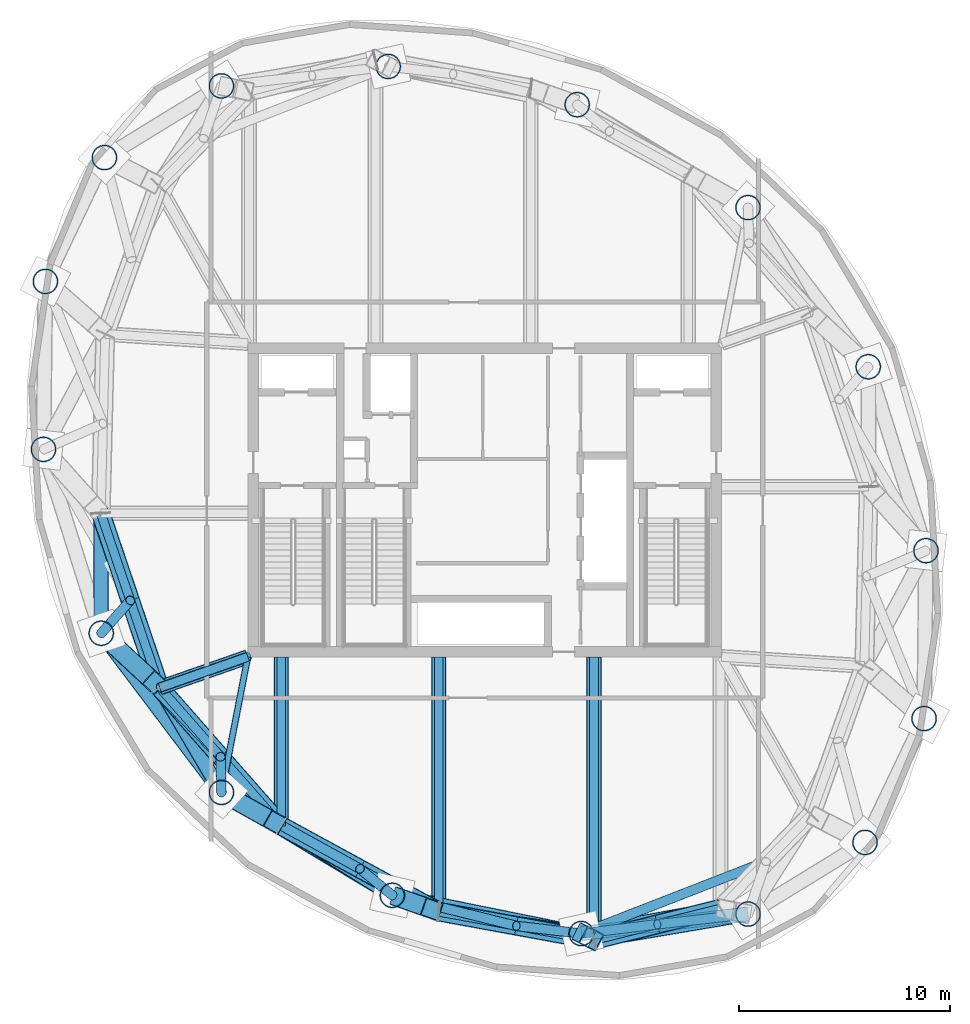
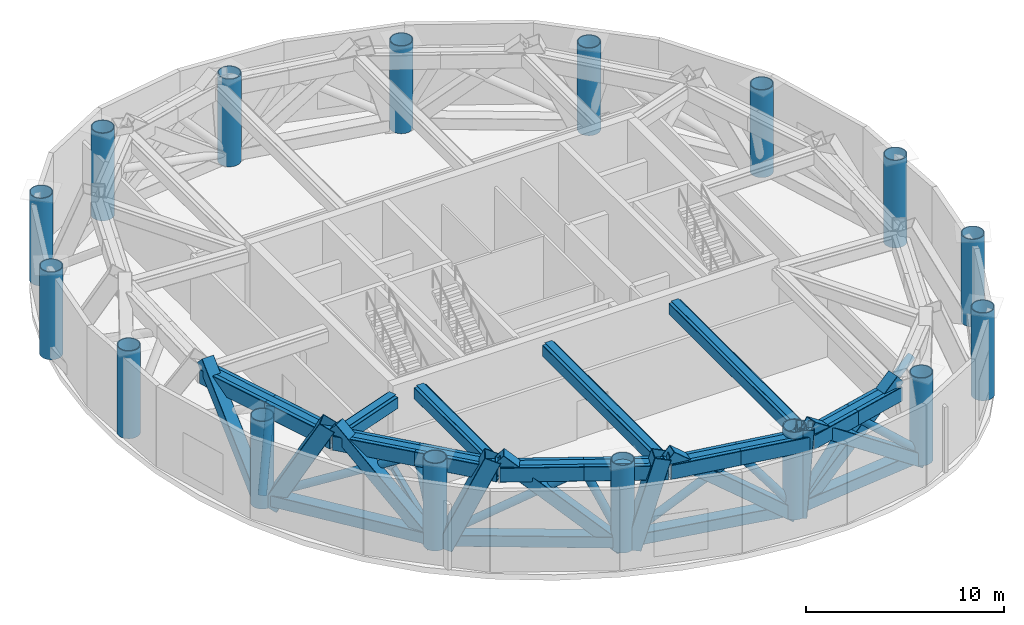
# One storey, part 1 of 9: 40 members, 16 columns, 9 beams.
"""IFC4 building model written with IfcOpenShell, lengths in metres."""

from ifc_helpers import new_model, si_unit, direction, frame, origin, origin_2d, place, context, subcontext, project, spatial, hollow_rectangle, hollow_circle, i_section, extrude, material, material_profile, profile_set, type_object, element, save


model = new_model("IFC4")

# Units and contexts
model_context = context("Model", 3, precision=1e-05, world=origin(), true_north=direction((0.0, 1.0)))
body_context = subcontext(model_context, "Body", "Model", "MODEL_VIEW")
ifc_project = project(units=[si_unit("LENGTHUNIT", "METRE"), si_unit("AREAUNIT", "SQUARE_METRE"), si_unit("VOLUMEUNIT", "CUBIC_METRE"), si_unit("PLANEANGLEUNIT", "RADIAN"), si_unit("MASSUNIT", "GRAM", prefix="KILO")], contexts=[model_context])

# Site, building, storey
site_placement = place(None, origin())
site = spatial("IfcSite", under=ifc_project, at=site_placement, CompositionType="ELEMENT")
building_placement = place(site_placement, origin())
building = spatial("IfcBuilding", under=site, at=building_placement, Name="Bramvorn Convention Spire", CompositionType="ELEMENT")
storey_placement = place(building_placement, frame((0.0, 0.0, 236.64990234375)))
storey = spatial("IfcBuildingStorey", under=building, at=storey_placement, Name="L60", CompositionType="ELEMENT", Elevation=236.64990234375)

# Columns
ifc_material = material(Name="Steel CSA G40.21 Grade 350 (350W)", Category="steel")
ifc_material_profile_1 = material_profile(ifc_material, hollow_circle(Radius=0.60009765625, WallThickness=0.050048828125, at=origin_2d()))
ifc_profile_set_1 = profile_set([ifc_material_profile_1], Name="Steel CSA G40.21 Grade 350 (350W) - CFT1200X50")
column_type = type_object("IfcColumnType", Name="COL-CFT1200X50", PredefinedType="COLUMN", material=ifc_profile_set_1)
for number, where, z_axis, x_axis, name in (
    (1, (56.058349609375, 9.739990234375, 0.0), (0.0, 0.0, 1.0), (1.0, 0.0, 0.0), "L60 composite CFT mega-column MC01"),
    (2, (58.863037109375, 15.619384765625, 0.0), (0.0, 0.0, 1.0), (1.0, 0.0, 0.0), "L60 composite CFT mega-column MC02"),
    (3, (58.95458984375, 23.593505859375, 0.0), (0.0, 0.0, 1.0), (1.0, 0.0, 0.0), "L60 composite CFT mega-column MC03"),
    (4, (56.21044921875, 32.327392578125, 0.0), (0.0, 0.0, 1.0), (1.0, 0.0, 0.0), "L60 composite CFT mega-column MC04"),
    (5, (50.501953125, 39.885009765625, 0.0), (0.0, 0.0, 1.0), (1.0, 0.0, 0.0), "L60 composite CFT mega-column MC05"),
    (6, (42.38916015625, 44.772216796875, 0.0), (0.0, 0.0, 1.0), (1.0, 0.0, 0.0), "L60 composite CFT mega-column MC06"),
    (7, (33.416259765625, 46.58837890625, 0.0), (0.0, 0.0, 1.0), (1.0, 0.0, 0.0), "L60 composite CFT mega-column MC07"),
    (8, (25.49560546875, 45.663818359375, 0.0), (0.0, 0.0, 1.0), (1.0, 0.0, 0.0), "L60 composite CFT mega-column MC08"),
    (9, (19.941650390625, 42.260009765625, 0.0), (0.0, 0.0, 1.0), (1.0, 0.0, 0.0), "L60 composite CFT mega-column MC09"),
    (10, (17.136962890625, 36.380615234375, 0.0), (0.0, 0.0, 1.0), (1.0, 0.0, 0.0), "L60 composite CFT mega-column MC10"),
    (11, (17.04541015625, 28.406494140625, 0.0), (0.0, 0.0, 1.0), (1.0, 0.0, 0.0), "L60 composite CFT mega-column MC11"),
    (12, (19.78955078125, 19.672607421875, 0.0), (0.0, 0.0, 1.0), (1.0, 0.0, 0.0), "L60 composite CFT mega-column MC12"),
    (13, (25.498046875, 12.114990234375, 0.0), (0.0, 0.0, 1.0), (1.0, 0.0, 0.0), "L60 composite CFT mega-column MC13"),
    (14, (33.61083984375, 7.227783203125, 0.0), (0.0, 0.0, 1.0), (1.0, 0.0, 0.0), "L60 composite CFT mega-column MC14"),
    (15, (42.583740234375, 5.41162109375, 0.0), (0.0, 0.0, 1.0), (1.0, 0.0, 0.0), "L60 composite CFT mega-column MC15"),
    (16, (50.50439453125, 6.336181640625, 0.0), (0.0, 0.0, 1.0), (1.0, 0.0, 0.0), "L60 composite CFT mega-column MC16"),
):
    element("IfcColumn", number, at=place(storey_placement, frame(where, z_axis=z_axis, x_axis=x_axis)), inside=storey, type_object=column_type, Name=name, PredefinedType="COLUMN", context=body_context, shape_type="SweptSolid", body=[
        extrude(hollow_circle(Radius=0.60009765625, WallThickness=0.050048828125, at=origin_2d()), origin(), (0.0, 0.0, 1.0), 5.400146484375),
    ])

# Beams
ifc_material_profile_2 = material_profile(ifc_material, i_section(OverallWidth=0.41796875, OverallDepth=0.912109375, WebThickness=0.019287109375, FlangeThickness=0.031982421875, FilletRadius=0.02392578125, at=origin_2d()))
ifc_profile_set_2 = profile_set([ifc_material_profile_2], Name="Steel CSA G40.21 Grade 350 (350W) - W920X342")
beam_type = type_object("IfcBeamType", Name="BM-W920X342", PredefinedType="BEAM", material=ifc_profile_set_2)
beam_1_placement = place(storey_placement, frame((19.765380859375, 25.37060546875, 4.524169921875), z_axis=(0.320531023763, -0.947238018032, 0.0), x_axis=(0.947238018032, 0.320531023763, 0.0)))
element("IfcBeam", 17, at=beam_1_placement, inside=storey, type_object=beam_type, Name="L60 step-in transfer ring girder 12", PredefinedType="BEAM", context=body_context, shape_type="SweptSolid", body=[
    extrude(i_section(OverallWidth=0.41796875, OverallDepth=0.912109375, WebThickness=0.019287109375, FlangeThickness=0.031982421875, FilletRadius=0.02392578125, at=origin_2d()), origin(), (0.0, 0.0, 1.0), 8.74169921875),
])
beam_2_placement = place(storey_placement, frame((22.5673828125, 17.090087890625, 4.524169921875), z_axis=(0.660073062339, -0.751201405999, 0.0), x_axis=(0.751201405999, 0.660073062339, 0.0)))
element("IfcBeam", 18, at=beam_2_placement, inside=storey, type_object=beam_type, Name="L60 step-in transfer ring girder 13", PredefinedType="BEAM", context=body_context, shape_type="SweptSolid", body=[
    extrude(i_section(OverallWidth=0.41796875, OverallDepth=0.912109375, WebThickness=0.019287109375, FlangeThickness=0.031982421875, FilletRadius=0.02392578125, at=origin_2d()), origin(), (0.0, 0.0, 1.0), 8.741943359375),
])
beam_3_placement = place(storey_placement, frame((26.75, 18.550048828125, 4.524169921875), z_axis=(-0.944136391877, -0.329554962843, 0.0), x_axis=(0.329554962843, -0.944136391877, 0.0)))
element("IfcBeam", 19, at=beam_3_placement, inside=storey, type_object=beam_type, Name="L60 step-in radial transfer girder MC13", PredefinedType="BEAM", context=body_context, shape_type="SweptSolid", body=[
    extrude(i_section(OverallWidth=0.41796875, OverallDepth=0.912109375, WebThickness=0.019287109375, FlangeThickness=0.031982421875, FilletRadius=0.02392578125, at=origin_2d()), origin(), (0.0, 0.0, 1.0), 4.43017578125),
])
beam_4_placement = place(storey_placement, frame((28.337646484375, 10.523193359375, 4.524169921875), z_axis=(0.878133224771, -0.478416178189, 0.0), x_axis=(0.478416178189, 0.878133224771, 0.0)))
element("IfcBeam", 20, at=beam_4_placement, inside=storey, type_object=beam_type, Name="L60 step-in transfer ring girder 14", PredefinedType="BEAM", context=body_context, shape_type="SweptSolid", body=[
    extrude(i_section(OverallWidth=0.41796875, OverallDepth=0.912109375, WebThickness=0.019287109375, FlangeThickness=0.031982421875, FilletRadius=0.02392578125, at=origin_2d()), origin(), (0.0, 0.0, 1.0), 8.515625),
])
beam_5_placement = place(storey_placement, frame((28.337646484375, 18.550048828125, 4.524169921875), z_axis=(0.0, -1.0, 0.0), x_axis=(1.0, 0.0, 0.0)))
element("IfcBeam", 21, at=beam_5_placement, inside=storey, type_object=beam_type, Name="L60 step-in radial transfer girder MC14", PredefinedType="BEAM", context=body_context, shape_type="SweptSolid", body=[
    extrude(i_section(OverallWidth=0.41796875, OverallDepth=0.912109375, WebThickness=0.019287109375, FlangeThickness=0.031982421875, FilletRadius=0.02392578125, at=origin_2d()), origin(), (0.0, 0.0, 1.0), 8.02685546875),
])
beam_6_placement = place(storey_placement, frame((35.8154296875, 6.44921875, 4.524169921875), z_axis=(0.983645049461, -0.180117785547, 0.0), x_axis=(0.180117785547, 0.983645049461, 0.0)))
element("IfcBeam", 22, at=beam_6_placement, inside=storey, type_object=beam_type, Name="L60 step-in transfer ring girder 15", PredefinedType="BEAM", context=body_context, shape_type="SweptSolid", body=[
    extrude(i_section(OverallWidth=0.41796875, OverallDepth=0.912109375, WebThickness=0.019287109375, FlangeThickness=0.031982421875, FilletRadius=0.02392578125, at=origin_2d()), origin(), (0.0, 0.0, 1.0), 7.49560546875),
])
beam_7_placement = place(storey_placement, frame((35.8154296875, 18.550048828125, 4.524169921875), z_axis=(0.0, -1.0, 0.0), x_axis=(1.0, 0.0, 0.0)))
element("IfcBeam", 23, at=beam_7_placement, inside=storey, type_object=beam_type, Name="L60 step-in radial transfer girder MC15", PredefinedType="BEAM", context=body_context, shape_type="SweptSolid", body=[
    extrude(i_section(OverallWidth=0.41796875, OverallDepth=0.912109375, WebThickness=0.019287109375, FlangeThickness=0.031982421875, FilletRadius=0.02392578125, at=origin_2d()), origin(), (0.0, 0.0, 1.0), 12.100830078125),
])
beam_8_placement = place(storey_placement, frame((43.1884765625, 5.09912109375, 4.524169921875), z_axis=(0.970177255997, 0.24239655927, 0.0), x_axis=(-0.24239655927, 0.970177255997, 0.0)))
element("IfcBeam", 24, at=beam_8_placement, inside=storey, type_object=beam_type, Name="L60 step-in transfer ring girder 16", PredefinedType="BEAM", context=body_context, shape_type="SweptSolid", body=[
    extrude(i_section(OverallWidth=0.41796875, OverallDepth=0.912109375, WebThickness=0.019287109375, FlangeThickness=0.031982421875, FilletRadius=0.02392578125, at=origin_2d()), origin(), (0.0, 0.0, 1.0), 6.1962890625),
])
beam_9_placement = place(storey_placement, frame((43.1884765625, 18.550048828125, 4.524169921875), z_axis=(0.0, -1.0, 0.0), x_axis=(1.0, 0.0, 0.0)))
element("IfcBeam", 25, at=beam_9_placement, inside=storey, type_object=beam_type, Name="L60 step-in radial transfer girder MC16", PredefinedType="BEAM", context=body_context, shape_type="SweptSolid", body=[
    extrude(i_section(OverallWidth=0.41796875, OverallDepth=0.912109375, WebThickness=0.019287109375, FlangeThickness=0.031982421875, FilletRadius=0.02392578125, at=origin_2d()), origin(), (0.0, 0.0, 1.0), 13.450927734375),
])

# Members
ifc_material_profile_3 = material_profile(ifc_material, hollow_rectangle(XDim=0.699951171875, YDim=0.699951171875, WallThickness=0.034912109375, InnerFilletRadius=0.0009765625, OuterFilletRadius=0.034912109375, at=origin_2d()))
ifc_profile_set_3 = profile_set([ifc_material_profile_3], Name="Steel CSA G40.21 Grade 350 (350W) - BOX700X700X35")
member_type_1 = type_object("IfcMemberType", Name="MBR-BOX700X700X35", PredefinedType="CHORD", material=ifc_profile_set_3)
member_1_placement = place(storey_placement, frame((42.583740234375, 5.41162109375, 0.0), z_axis=(0.767303223066, 0.13794469752, 0.626272324391), x_axis=(-0.176941924139, 0.984221293959, 0.0)))
element("IfcMember", 26, at=member_1_placement, inside=storey, type_object=member_type_1, Name="L60 step-in secondary transfer strut MC01", PredefinedType="CHORD", context=body_context, shape_type="SweptSolid", body=[
    extrude(hollow_rectangle(XDim=0.699951171875, YDim=0.699951171875, WallThickness=0.034912109375, InnerFilletRadius=0.0009765625, OuterFilletRadius=0.034912109375, at=origin_2d()), origin(), (0.0, 0.0, 1.0), 8.622802734375),
])
member_2_placement = place(storey_placement, frame((19.78955078125, 19.672607421875, 0.4501953125), z_axis=(0.602718581414, -0.797953827999, 0.0), x_axis=(0.797953827999, 0.602718581414, 0.0)))
element("IfcMember", 27, at=member_2_placement, inside=storey, type_object=member_type_1, Name="L60 belt truss bottom chord 12", PredefinedType="CHORD", context=body_context, shape_type="SweptSolid", body=[
    extrude(hollow_rectangle(XDim=0.699951171875, YDim=0.699951171875, WallThickness=0.034912109375, InnerFilletRadius=0.0009765625, OuterFilletRadius=0.034912109375, at=origin_2d()), origin(), (0.0, 0.0, 1.0), 9.47119140625),
])
member_3_placement = place(storey_placement, frame((19.78955078125, 19.672607421875, 0.0), z_axis=(-0.003078799874, 0.725819295533, 0.68787852941), x_axis=(-0.999991003573, -0.004241788824, 0.0)))
element("IfcMember", 28, at=member_3_placement, inside=storey, type_object=member_type_1, Name="L60 step-in secondary transfer strut MC12", PredefinedType="CHORD", context=body_context, shape_type="SweptSolid", body=[
    extrude(hollow_rectangle(XDim=0.699951171875, YDim=0.699951171875, WallThickness=0.034912109375, InnerFilletRadius=0.0009765625, OuterFilletRadius=0.034912109375, at=origin_2d()), origin(), (0.0, 0.0, 1.0), 7.850341796875),
])
member_4_placement = place(storey_placement, frame((25.498046875, 12.114990234375, 0.4501953125), z_axis=(0.856581795745, -0.516011266543, 0.0), x_axis=(0.516011266543, 0.856581795745, 0.0)))
element("IfcMember", 29, at=member_4_placement, inside=storey, type_object=member_type_1, Name="L60 belt truss bottom chord 13", PredefinedType="CHORD", context=body_context, shape_type="SweptSolid", body=[
    extrude(hollow_rectangle(XDim=0.699951171875, YDim=0.699951171875, WallThickness=0.034912109375, InnerFilletRadius=0.0009765625, OuterFilletRadius=0.034912109375, at=origin_2d()), origin(), (0.0, 0.0, 1.0), 9.47119140625),
])
member_5_placement = place(storey_placement, frame((25.498046875, 12.114990234375, 0.0), z_axis=(-0.370697095885, 0.629295686433, 0.683059735411), x_axis=(-0.86162101248, -0.507552195201, 0.0)))
element("IfcMember", 30, at=member_5_placement, inside=storey, type_object=member_type_1, Name="L60 step-in secondary transfer strut MC13", PredefinedType="CHORD", context=body_context, shape_type="SweptSolid", body=[
    extrude(hollow_rectangle(XDim=0.699951171875, YDim=0.699951171875, WallThickness=0.034912109375, InnerFilletRadius=0.0009765625, OuterFilletRadius=0.034912109375, at=origin_2d()), origin(), (0.0, 0.0, 1.0), 7.90576171875),
])
member_6_placement = place(storey_placement, frame((26.75, 18.550048828125, 4.530029296875), z_axis=(-0.944136391877, -0.329554962843, 0.0), x_axis=(0.329554962843, -0.944136391877, 0.0)))
element("IfcMember", 31, at=member_6_placement, inside=storey, type_object=member_type_1, Name="L60 outrigger top tie MC13", PredefinedType="CHORD", context=body_context, shape_type="SweptSolid", body=[
    extrude(hollow_rectangle(XDim=0.699951171875, YDim=0.699951171875, WallThickness=0.034912109375, InnerFilletRadius=0.0009765625, OuterFilletRadius=0.034912109375, at=origin_2d()), origin(), (0.0, 0.0, 1.0), 4.43017578125),
])
member_7_placement = place(storey_placement, frame((33.61083984375, 7.227783203125, 0.4501953125), z_axis=(0.980124701676, -0.198382381187, 0.0), x_axis=(0.198382381187, 0.980124701676, 0.0)))
element("IfcMember", 32, at=member_7_placement, inside=storey, type_object=member_type_1, Name="L60 belt truss bottom chord 14", PredefinedType="CHORD", context=body_context, shape_type="SweptSolid", body=[
    extrude(hollow_rectangle(XDim=0.699951171875, YDim=0.699951171875, WallThickness=0.034912109375, InnerFilletRadius=0.0009765625, OuterFilletRadius=0.034912109375, at=origin_2d()), origin(), (0.0, 0.0, 1.0), 9.15478515625),
])
member_8_placement = place(storey_placement, frame((33.61083984375, 7.227783203125, 0.0), z_axis=(-0.64027947502, 0.400133911469, 0.65569432418), x_axis=(-0.529960118474, -0.848022566225, 0.0)))
element("IfcMember", 33, at=member_8_placement, inside=storey, type_object=member_type_1, Name="L60 step-in secondary transfer strut MC14", PredefinedType="CHORD", context=body_context, shape_type="SweptSolid", body=[
    extrude(hollow_rectangle(XDim=0.699951171875, YDim=0.699951171875, WallThickness=0.034912109375, InnerFilletRadius=0.0009765625, OuterFilletRadius=0.034912109375, at=origin_2d()), origin(), (0.0, 0.0, 1.0), 8.23583984375),
])
member_9_placement = place(storey_placement, frame((28.337646484375, 18.550048828125, 4.530029296875), z_axis=(0.0, -1.0, 0.0), x_axis=(1.0, 0.0, 0.0)))
element("IfcMember", 34, at=member_9_placement, inside=storey, type_object=member_type_1, Name="L60 outrigger top tie MC14", PredefinedType="CHORD", context=body_context, shape_type="SweptSolid", body=[
    extrude(hollow_rectangle(XDim=0.699951171875, YDim=0.699951171875, WallThickness=0.034912109375, InnerFilletRadius=0.0009765625, OuterFilletRadius=0.034912109375, at=origin_2d()), origin(), (0.0, 0.0, 1.0), 8.02685546875),
])
member_10_placement = place(storey_placement, frame((42.583740234375, 5.41162109375, 0.4501953125), z_axis=(0.993256148339, 0.115940604561, 0.0), x_axis=(-0.115940604561, 0.993256148339, 0.0)))
element("IfcMember", 35, at=member_10_placement, inside=storey, type_object=member_type_1, Name="L60 belt truss bottom chord 15", PredefinedType="CHORD", context=body_context, shape_type="SweptSolid", body=[
    extrude(hollow_rectangle(XDim=0.699951171875, YDim=0.699951171875, WallThickness=0.034912109375, InnerFilletRadius=0.0009765625, OuterFilletRadius=0.034912109375, at=origin_2d()), origin(), (0.0, 0.0, 1.0), 7.974365234375),
])
member_11_placement = place(storey_placement, frame((42.583740234375, 5.41162109375, 0.0), z_axis=(-0.776132293978, 0.118982875209, 0.619242874526), x_axis=(-0.15153203037, -0.98845234775, 0.0)))
element("IfcMember", 36, at=member_11_placement, inside=storey, type_object=member_type_1, Name="L60 step-in secondary transfer strut MC15", PredefinedType="CHORD", context=body_context, shape_type="SweptSolid", body=[
    extrude(hollow_rectangle(XDim=0.699951171875, YDim=0.699951171875, WallThickness=0.034912109375, InnerFilletRadius=0.0009765625, OuterFilletRadius=0.034912109375, at=origin_2d()), origin(), (0.0, 0.0, 1.0), 8.720458984375),
])
member_12_placement = place(storey_placement, frame((35.8154296875, 18.550048828125, 4.530029296875), z_axis=(0.0, -1.0, 0.0), x_axis=(1.0, 0.0, 0.0)))
element("IfcMember", 37, at=member_12_placement, inside=storey, type_object=member_type_1, Name="L60 outrigger top tie MC15", PredefinedType="CHORD", context=body_context, shape_type="SweptSolid", body=[
    extrude(hollow_rectangle(XDim=0.699951171875, YDim=0.699951171875, WallThickness=0.034912109375, InnerFilletRadius=0.0009765625, OuterFilletRadius=0.034912109375, at=origin_2d()), origin(), (0.0, 0.0, 1.0), 12.100830078125),
])
member_13_placement = place(storey_placement, frame((50.50439453125, 6.336181640625, 0.0), z_axis=(-0.797214600777, -0.134802322036, 0.588453238823), x_axis=(0.166724936947, -0.986003445937, 0.0)))
element("IfcMember", 38, at=member_13_placement, inside=storey, type_object=member_type_1, Name="L60 step-in secondary transfer strut MC16", PredefinedType="CHORD", context=body_context, shape_type="SweptSolid", body=[
    extrude(hollow_rectangle(XDim=0.699951171875, YDim=0.699951171875, WallThickness=0.034912109375, InnerFilletRadius=0.0009765625, OuterFilletRadius=0.034912109375, at=origin_2d()), origin(), (0.0, 0.0, 1.0), 9.1767578125),
])
member_14_placement = place(storey_placement, frame((43.1884765625, 18.550048828125, 4.530029296875), z_axis=(0.0, -1.0, 0.0), x_axis=(1.0, 0.0, 0.0)))
element("IfcMember", 39, at=member_14_placement, inside=storey, type_object=member_type_1, Name="L60 outrigger top tie MC16", PredefinedType="CHORD", context=body_context, shape_type="SweptSolid", body=[
    extrude(hollow_rectangle(XDim=0.699951171875, YDim=0.699951171875, WallThickness=0.034912109375, InnerFilletRadius=0.0009765625, OuterFilletRadius=0.034912109375, at=origin_2d()), origin(), (0.0, 0.0, 1.0), 13.450927734375),
])
ifc_material_profile_4 = material_profile(ifc_material, hollow_rectangle(XDim=0.89990234375, YDim=0.89990234375, WallThickness=0.044921875, InnerFilletRadius=0.0009765625, OuterFilletRadius=0.044921875, at=origin_2d()))
ifc_profile_set_4 = profile_set([ifc_material_profile_4], Name="Steel CSA G40.21 Grade 350 (350W) - BOX900X900X45")
member_type_2 = type_object("IfcMemberType", Name="MBR-BOX900X900X45", PredefinedType="CHORD", material=ifc_profile_set_4)
member_15_placement = place(storey_placement, frame((19.765380859375, 25.37060546875, 4.530029296875), z_axis=(0.320547602394, -0.947232407912, 0.0), x_axis=(0.947232407912, 0.320547602394, 0.0)))
element("IfcMember", 40, at=member_15_placement, inside=storey, type_object=member_type_2, Name="L60 belt truss top chord 12A", PredefinedType="CHORD", context=body_context, shape_type="SweptSolid", body=[
    extrude(hollow_rectangle(XDim=0.89990234375, YDim=0.89990234375, WallThickness=0.044921875, InnerFilletRadius=0.0009765625, OuterFilletRadius=0.044921875, at=origin_2d()), origin(), (0.0, 0.0, 1.0), 4.37109375),
])
member_16_placement = place(storey_placement, frame((21.16650390625, 21.230224609375, 4.530029296875), z_axis=(0.320514443859, -0.947243628259, 0.0), x_axis=(0.947243628259, 0.320514443859, 0.0)))
element("IfcMember", 41, at=member_16_placement, inside=storey, type_object=member_type_2, Name="L60 belt truss top chord 12B", PredefinedType="CHORD", context=body_context, shape_type="SweptSolid", body=[
    extrude(hollow_rectangle(XDim=0.89990234375, YDim=0.89990234375, WallThickness=0.044921875, InnerFilletRadius=0.0009765625, OuterFilletRadius=0.044921875, at=origin_2d()), origin(), (0.0, 0.0, 1.0), 4.37060546875),
])
member_17_placement = place(storey_placement, frame((22.5673828125, 17.090087890625, 4.530029296875), z_axis=(0.660057302158, -0.751215254017, 0.0), x_axis=(0.751215254017, 0.660057302158, 0.0)))
element("IfcMember", 42, at=member_17_placement, inside=storey, type_object=member_type_2, Name="L60 belt truss top chord 13A", PredefinedType="CHORD", context=body_context, shape_type="SweptSolid", body=[
    extrude(hollow_rectangle(XDim=0.89990234375, YDim=0.89990234375, WallThickness=0.044921875, InnerFilletRadius=0.0009765625, OuterFilletRadius=0.044921875, at=origin_2d()), origin(), (0.0, 0.0, 1.0), 4.370849609375),
])
member_18_placement = place(storey_placement, frame((25.452392578125, 13.806640625, 4.530029296875), z_axis=(0.660088821648, -0.751187558161, 0.0), x_axis=(0.751187558161, 0.660088821648, 0.0)))
element("IfcMember", 43, at=member_18_placement, inside=storey, type_object=member_type_2, Name="L60 belt truss top chord 13B", PredefinedType="CHORD", context=body_context, shape_type="SweptSolid", body=[
    extrude(hollow_rectangle(XDim=0.89990234375, YDim=0.89990234375, WallThickness=0.044921875, InnerFilletRadius=0.0009765625, OuterFilletRadius=0.044921875, at=origin_2d()), origin(), (0.0, 0.0, 1.0), 4.37109375),
])
member_19_placement = place(storey_placement, frame((20.119140625, 19.3662109375, 0.0), z_axis=(0.355017809853, -0.330066123729, 0.874653479187), x_axis=(0.680901529634, 0.732374977004, 0.0)))
element("IfcMember", 44, at=member_19_placement, inside=storey, type_object=member_type_2, Name="L60 step-in mega-column transfer strut MC13", PredefinedType="CHORD", context=body_context, shape_type="SweptSolid", body=[
    extrude(hollow_rectangle(XDim=0.89990234375, YDim=0.89990234375, WallThickness=0.044921875, InnerFilletRadius=0.0009765625, OuterFilletRadius=0.044921875, at=origin_2d()), origin(), (0.0, 0.0, 1.0), 6.174072265625),
])
member_20_placement = place(storey_placement, frame((28.337646484375, 10.523193359375, 4.530029296875), z_axis=(0.878127742332, -0.478426241072, 0.0), x_axis=(0.478426241072, 0.878127742332, 0.0)))
element("IfcMember", 45, at=member_20_placement, inside=storey, type_object=member_type_2, Name="L60 belt truss top chord 14A", PredefinedType="CHORD", context=body_context, shape_type="SweptSolid", body=[
    extrude(hollow_rectangle(XDim=0.89990234375, YDim=0.89990234375, WallThickness=0.044921875, InnerFilletRadius=0.0009765625, OuterFilletRadius=0.044921875, at=origin_2d()), origin(), (0.0, 0.0, 1.0), 4.258056640625),
])
member_21_placement = place(storey_placement, frame((32.07666015625, 8.486083984375, 4.530029296875), z_axis=(0.878138707521, -0.478406114461, 0.0), x_axis=(0.478406114461, 0.878138707521, 0.0)))
element("IfcMember", 46, at=member_21_placement, inside=storey, type_object=member_type_2, Name="L60 belt truss top chord 14B", PredefinedType="CHORD", context=body_context, shape_type="SweptSolid", body=[
    extrude(hollow_rectangle(XDim=0.89990234375, YDim=0.89990234375, WallThickness=0.044921875, InnerFilletRadius=0.0009765625, OuterFilletRadius=0.044921875, at=origin_2d()), origin(), (0.0, 0.0, 1.0), 4.257568359375),
])
member_22_placement = place(storey_placement, frame((25.890380859375, 11.89501953125, 0.0), z_axis=(0.361055584842, -0.202401842728, 0.910314428488), x_axis=(0.48899086297, 0.87228890623, 0.0)))
element("IfcMember", 47, at=member_22_placement, inside=storey, type_object=member_type_2, Name="L60 step-in mega-column transfer strut MC14", PredefinedType="CHORD", context=body_context, shape_type="SweptSolid", body=[
    extrude(hollow_rectangle(XDim=0.89990234375, YDim=0.89990234375, WallThickness=0.044921875, InnerFilletRadius=0.0009765625, OuterFilletRadius=0.044921875, at=origin_2d()), origin(), (0.0, 0.0, 1.0), 5.93212890625),
])
for number, where, z_axis, x_axis, name in (
    (48, (35.8154296875, 6.44921875, 4.530029296875), (0.983645049461, -0.180117785547, 0.0), (0.180117785547, 0.983645049461, 0.0), "L60 belt truss top chord 15A"),
    (49, (39.501953125, 5.774169921875, 4.530029296875), (0.983645049461, -0.180117785547, 0.0), (0.180117785547, 0.983645049461, 0.0), "L60 belt truss top chord 15B"),
):
    element("IfcMember", number, at=place(storey_placement, frame(where, z_axis=z_axis, x_axis=x_axis)), inside=storey, type_object=member_type_2, Name=name, PredefinedType="CHORD", context=body_context, shape_type="SweptSolid", body=[
        extrude(hollow_rectangle(XDim=0.89990234375, YDim=0.89990234375, WallThickness=0.044921875, InnerFilletRadius=0.0009765625, OuterFilletRadius=0.044921875, at=origin_2d()), origin(), (0.0, 0.0, 1.0), 3.747802734375),
    ])
member_23_placement = place(storey_placement, frame((34.03515625, 7.077880859375, 0.0), z_axis=(0.258318252705, -0.091178821061, 0.961747421577), x_axis=(0.332845025137, 0.942981542365, 0.0)))
element("IfcMember", 50, at=member_23_placement, inside=storey, type_object=member_type_2, Name="L60 step-in mega-column transfer strut MC15", PredefinedType="CHORD", context=body_context, shape_type="SweptSolid", body=[
    extrude(hollow_rectangle(XDim=0.89990234375, YDim=0.89990234375, WallThickness=0.044921875, InnerFilletRadius=0.0009765625, OuterFilletRadius=0.044921875, at=origin_2d()), origin(), (0.0, 0.0, 1.0), 5.614990234375),
])
member_24_placement = place(storey_placement, frame((43.1884765625, 5.09912109375, 4.530029296875), z_axis=(0.970179570929, 0.242387293712, 0.0), x_axis=(-0.242387293712, 0.970179570929, 0.0)))
element("IfcMember", 51, at=member_24_placement, inside=storey, type_object=member_type_2, Name="L60 belt truss top chord 16A", PredefinedType="CHORD", context=body_context, shape_type="SweptSolid", body=[
    extrude(hollow_rectangle(XDim=0.89990234375, YDim=0.89990234375, WallThickness=0.044921875, InnerFilletRadius=0.0009765625, OuterFilletRadius=0.044921875, at=origin_2d()), origin(), (0.0, 0.0, 1.0), 3.09814453125),
])
member_25_placement = place(storey_placement, frame((46.1943359375, 5.85009765625, 4.530029296875), z_axis=(0.9701749408, 0.242405825514, 0.0), x_axis=(-0.242405825514, 0.9701749408, 0.0)))
element("IfcMember", 52, at=member_25_placement, inside=storey, type_object=member_type_2, Name="L60 belt truss top chord 16B", PredefinedType="CHORD", context=body_context, shape_type="SweptSolid", body=[
    extrude(hollow_rectangle(XDim=0.89990234375, YDim=0.89990234375, WallThickness=0.044921875, InnerFilletRadius=0.0009765625, OuterFilletRadius=0.044921875, at=origin_2d()), origin(), (0.0, 0.0, 1.0), 3.097900390625),
])
member_26_placement = place(storey_placement, frame((42.735107421875, 5.33349609375, 0.0), z_axis=(0.061428626911, -0.031751654439, 0.99760631325), x_axis=(0.459174488135, 0.888346097783, 0.0)))
element("IfcMember", 53, at=member_26_placement, inside=storey, type_object=member_type_2, Name="L60 step-in mega-column transfer strut MC16", PredefinedType="CHORD", context=body_context, shape_type="SweptSolid", body=[
    extrude(hollow_rectangle(XDim=0.89990234375, YDim=0.89990234375, WallThickness=0.044921875, InnerFilletRadius=0.0009765625, OuterFilletRadius=0.044921875, at=origin_2d()), origin(), (0.0, 0.0, 1.0), 5.4130859375),
])
ifc_material_profile_5 = material_profile(ifc_material, hollow_circle(Radius=0.228515625, WallThickness=0.01904296875, at=origin_2d()))
ifc_profile_set_5 = profile_set([ifc_material_profile_5], Name="Steel CSA G40.21 Grade 350 (350W) - CHS457X19")
member_type_3 = type_object("IfcMemberType", Name="MBR-CHS457X19", PredefinedType="BRACE", material=ifc_profile_set_5)
member_27_placement = place(storey_placement, frame((42.583740234375, 5.41162109375, 0.4501953125), z_axis=(0.85490086919, 0.333106697249, 0.397724065285), x_axis=(-0.36305706125, 0.931766907695, 0.0)))
element("IfcMember", 54, at=member_27_placement, inside=storey, type_object=member_type_3, Name="L60 ring belt diagonal 1B", PredefinedType="BRACE", context=body_context, shape_type="SweptSolid", body=[
    extrude(hollow_circle(Radius=0.228515625, WallThickness=0.01904296875, at=origin_2d()), origin(), (0.0, 0.0, 1.0), 10.258056640625),
])
member_28_placement = place(storey_placement, frame((19.78955078125, 19.672607421875, 0.4501953125), z_axis=(0.300710619741, 0.34016555921, 0.890988504697), x_axis=(-0.749220665046, 0.662320462517, 0.0)))
element("IfcMember", 55, at=member_28_placement, inside=storey, type_object=member_type_3, Name="L60 ring belt diagonal 12B", PredefinedType="BRACE", context=body_context, shape_type="SweptSolid", body=[
    extrude(hollow_circle(Radius=0.228515625, WallThickness=0.01904296875, at=origin_2d()), origin(), (0.0, 0.0, 1.0), 4.5791015625),
])
member_29_placement = place(storey_placement, frame((19.78955078125, 19.672607421875, 0.4501953125), z_axis=(0.621119866694, -0.643399311794, 0.447490152719), x_axis=(0.719453569576, 0.694540539656, 0.0)))
element("IfcMember", 56, at=member_29_placement, inside=storey, type_object=member_type_3, Name="L60 ring belt diagonal 13A", PredefinedType="BRACE", context=body_context, shape_type="SweptSolid", body=[
    extrude(hollow_circle(Radius=0.228515625, WallThickness=0.01904296875, at=origin_2d()), origin(), (0.0, 0.0, 1.0), 9.1171875),
])
member_30_placement = place(storey_placement, frame((25.498046875, 12.114990234375, 0.4501953125), z_axis=(-0.010336327501, 0.382996862319, 0.923691812125), x_axis=(-0.999636022168, -0.026978198318, 0.0)))
element("IfcMember", 57, at=member_30_placement, inside=storey, type_object=member_type_3, Name="L60 ring belt diagonal 13B", PredefinedType="BRACE", context=body_context, shape_type="SweptSolid", body=[
    extrude(hollow_circle(Radius=0.228515625, WallThickness=0.01904296875, at=origin_2d()), origin(), (0.0, 0.0, 1.0), 4.4169921875),
])
member_31_placement = place(storey_placement, frame((26.75, 18.550048828125, 0.4501953125), z_axis=(-0.694495512349, -0.242416715144, 0.6774290513), x_axis=(0.329554962843, -0.944136391877, 0.0)))
element("IfcMember", 58, at=member_31_placement, inside=storey, type_object=member_type_3, Name="L60 outrigger web diagonal MC13", PredefinedType="BRACE", context=body_context, shape_type="SweptSolid", body=[
    extrude(hollow_circle(Radius=0.228515625, WallThickness=0.01904296875, at=origin_2d()), origin(), (0.0, 0.0, 1.0), 6.0224609375),
])
member_32_placement = place(storey_placement, frame((25.498046875, 12.114990234375, 0.4501953125), z_axis=(0.769482883001, -0.424463503782, 0.477207320486), x_axis=(0.483008618672, 0.875615597331, 0.0)))
element("IfcMember", 59, at=member_32_placement, inside=storey, type_object=member_type_3, Name="L60 ring belt diagonal 14A", PredefinedType="BRACE", context=body_context, shape_type="SweptSolid", body=[
    extrude(hollow_circle(Radius=0.228515625, WallThickness=0.01904296875, at=origin_2d()), origin(), (0.0, 0.0, 1.0), 8.54931640625),
])
member_33_placement = place(storey_placement, frame((33.61083984375, 7.227783203125, 0.4501953125), z_axis=(-0.338167343528, 0.277357493403, 0.899286199507), x_axis=(-0.634161985829, -0.773200217104, 0.0)))
element("IfcMember", 60, at=member_33_placement, inside=storey, type_object=member_type_3, Name="L60 ring belt diagonal 14B", PredefinedType="BRACE", context=body_context, shape_type="SweptSolid", body=[
    extrude(hollow_circle(Radius=0.228515625, WallThickness=0.01904296875, at=origin_2d()), origin(), (0.0, 0.0, 1.0), 4.536865234375),
])
member_34_placement = place(storey_placement, frame((33.61083984375, 7.227783203125, 0.4501953125), z_axis=(0.805693176359, -0.198802203566, 0.557975079575), x_axis=(0.2395617976, 0.970881117919, 0.0)))
element("IfcMember", 61, at=member_34_placement, inside=storey, type_object=member_type_3, Name="L60 ring belt diagonal 15A", PredefinedType="BRACE", context=body_context, shape_type="SweptSolid", body=[
    extrude(hollow_circle(Radius=0.228515625, WallThickness=0.01904296875, at=origin_2d()), origin(), (0.0, 0.0, 1.0), 7.311767578125),
])
member_35_placement = place(storey_placement, frame((42.583740234375, 5.41162109375, 0.4501953125), z_axis=(-0.601229626573, 0.070730095497, 0.795939815389), x_axis=(-0.116836682637, -0.993151141363, 0.0)))
element("IfcMember", 62, at=member_35_placement, inside=storey, type_object=member_type_3, Name="L60 ring belt diagonal 15B", PredefinedType="BRACE", context=body_context, shape_type="SweptSolid", body=[
    extrude(hollow_circle(Radius=0.228515625, WallThickness=0.01904296875, at=origin_2d()), origin(), (0.0, 0.0, 1.0), 5.125732421875),
])
member_36_placement = place(storey_placement, frame((42.583740234375, 5.41162109375, 0.4501953125), z_axis=(0.660593494507, 0.080223538856, 0.746445188093), x_axis=(-0.120555882749, 0.992706542305, 0.0)))
element("IfcMember", 63, at=member_36_placement, inside=storey, type_object=member_type_3, Name="L60 ring belt diagonal 16A", PredefinedType="BRACE", context=body_context, shape_type="SweptSolid", body=[
    extrude(hollow_circle(Radius=0.228515625, WallThickness=0.01904296875, at=origin_2d()), origin(), (0.0, 0.0, 1.0), 5.465576171875),
])
member_37_placement = place(storey_placement, frame((50.50439453125, 6.336181640625, 0.4501953125), z_axis=(-0.723813196728, -0.081630909408, 0.685150239635), x_axis=(0.112068520362, -0.993700481405, 0.0)))
element("IfcMember", 64, at=member_37_placement, inside=storey, type_object=member_type_3, Name="L60 ring belt diagonal 16B", PredefinedType="BRACE", context=body_context, shape_type="SweptSolid", body=[
    extrude(hollow_circle(Radius=0.228515625, WallThickness=0.01904296875, at=origin_2d()), origin(), (0.0, 0.0, 1.0), 5.95458984375),
])
ifc_material_profile_6 = material_profile(ifc_material, hollow_rectangle(XDim=0.3046875, YDim=0.3046875, WallThickness=0.015869140625, InnerFilletRadius=0.015869140625, OuterFilletRadius=0.03173828125, at=origin_2d()))
ifc_profile_set_6 = profile_set([ifc_material_profile_6], Name="Steel CSA G40.21 Grade 350 (350W) - HSS305X305X16")
member_type_4 = type_object("IfcMemberType", Name="MBR-HSS305X305X16", PredefinedType="POST", material=ifc_profile_set_6)
member_38_placement = place(storey_placement, frame((26.75, 18.550048828125, 0.4501953125), z_axis=(-0.190971329886, -0.981595614885, 0.0), x_axis=(0.981595614885, -0.190971329886, 0.0)))
element("IfcMember", 65, at=member_38_placement, inside=storey, type_object=member_type_4, Name="L60 outrigger bottom chord MC13", PredefinedType="POST", context=body_context, shape_type="SweptSolid", body=[
    extrude(hollow_rectangle(XDim=0.3046875, YDim=0.3046875, WallThickness=0.015869140625, InnerFilletRadius=0.015869140625, OuterFilletRadius=0.03173828125, at=origin_2d()), origin(), (0.0, 0.0, 1.0), 6.5556640625),
])

save(model, "model.ifc")
